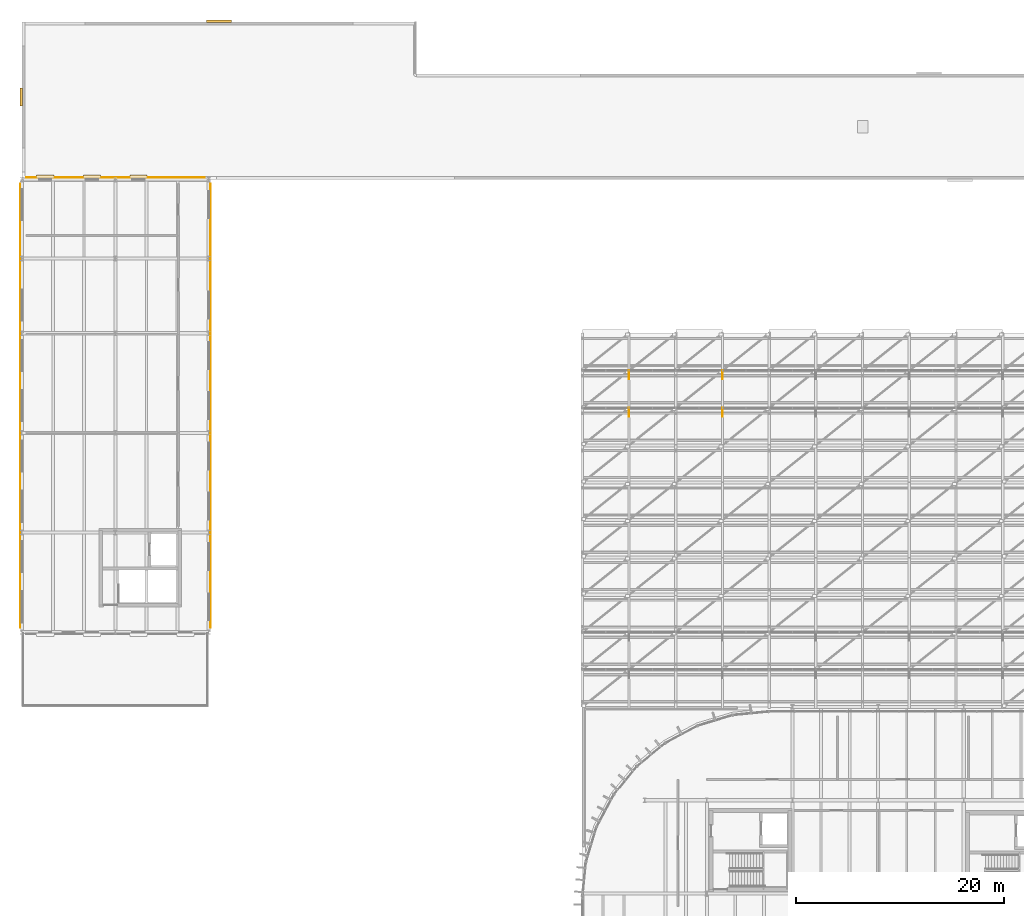
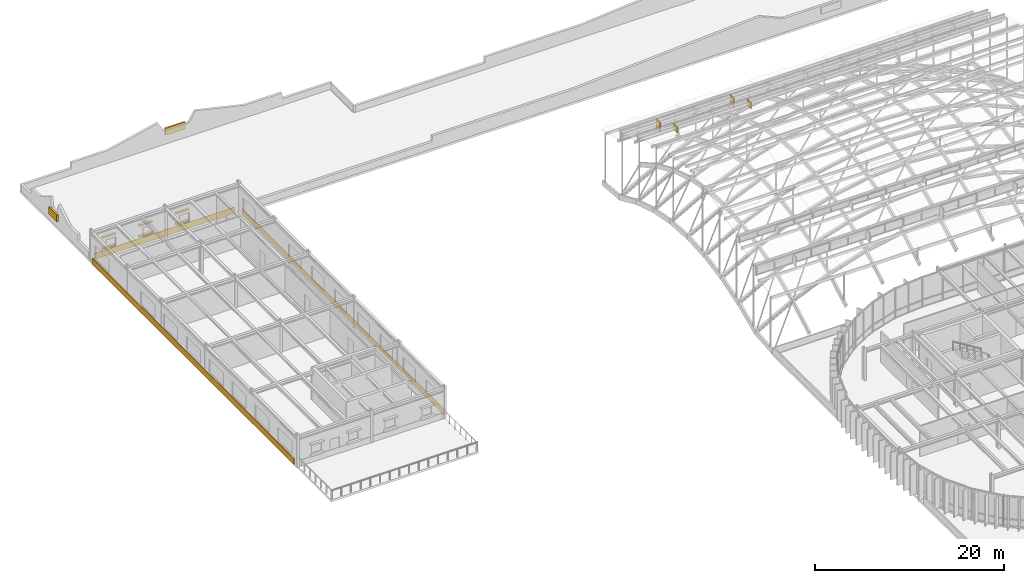
# One storey, part 65 of 69: 11 coverings, 4 shading devices.
"""IFC4 building model written with IfcOpenShell, lengths in metres."""

from ifc_helpers import new_model, si_unit, direction, frame, origin, origin_2d, place, context, subcontext, project, spatial, rectangle, extrude, material, layer, layer_set, type_object, element, save


model = new_model("IFC4")

# Units and contexts
model_context = context("Model", 3, precision=1e-05, world=origin(), true_north=direction((0.0, 1.0)))
body_context = subcontext(model_context, "Body", "Model", "MODEL_VIEW")
ifc_project = project(units=[si_unit("LENGTHUNIT", "METRE"), si_unit("AREAUNIT", "SQUARE_METRE"), si_unit("VOLUMEUNIT", "CUBIC_METRE"), si_unit("PLANEANGLEUNIT", "RADIAN"), si_unit("MASSUNIT", "GRAM", prefix="KILO")], contexts=[model_context])

# Site, building, storey
site_placement = place(None, origin())
site = spatial("IfcSite", under=ifc_project, at=site_placement, CompositionType="ELEMENT")
building_placement = place(site_placement, origin())
building = spatial("IfcBuilding", under=site, at=building_placement, Name="Montealbar Specialist Clinic", CompositionType="ELEMENT")
storey_placement = place(building_placement, frame((0.0, 0.0, 9.60009765625)))
storey = spatial("IfcBuildingStorey", under=building, at=storey_placement, Name="L02", CompositionType="ELEMENT", Elevation=9.60009765625)

# Coverings
ifc_material_1 = material(Name="Guadarrama granite ashlar", Category="masonry")
ifc_layer_1 = layer(ifc_material_1, 0.06005859375, Name="Guadarrama granite ashlar", Category="masonry")
ifc_layer_set_1 = layer_set([ifc_layer_1], Name="Guadarrama granite ashlar")
covering_type_1 = type_object("IfcCoveringType", Name="COV-CLAD-GRANITE", PredefinedType="CLADDING", material=ifc_layer_set_1)
covering_1_placement = place(storey_placement, frame((9.0, 96.0029296875, 0.02978515625), z_axis=(0.0, 0.0, 1.0), x_axis=(1.0, 0.0, 0.0)))
element("IfcCovering", 1, at=covering_1_placement, inside=storey, type_object=covering_type_1, Name="Facade Plinth Cladding Band L02-044", PredefinedType="CLADDING", context=body_context, shape_type="SweptSolid", body=[
    extrude(rectangle(XDim=17.199951171875, YDim=0.06005859375, at=origin_2d()), origin(), (0.0, 0.0, 1.0), 0.780029296875),
])
ifc_material_2 = material(Name="Terracotta architectural cladding", Category="masonry")
ifc_layer_2 = layer(ifc_material_2, 0.044921875, Name="Terracotta architectural cladding", Category="masonry")
ifc_layer_set_2 = layer_set([ifc_layer_2], Name="Terracotta architectural cladding")
covering_type_2 = type_object("IfcCoveringType", Name="COV-CLAD-TERRA", PredefinedType="CLADDING", material=ifc_layer_set_2)
for number, where, z_axis, x_axis, name in (
    (2, (18.159912109375, 74.0, 0.02978515625), (0.0, 0.0, 1.0), (0.0, -1.0, 0.0), "Facade Plinth Cladding Band L02-041"),
    (3, (-0.160888671875, 74.0, 0.02978515625), (0.0, 0.0, 1.0), (0.0, 1.0, 0.0), "Facade Plinth Cladding Band L02-043"),
):
    element("IfcCovering", number, at=place(storey_placement, frame(where, z_axis=z_axis, x_axis=x_axis)), inside=storey, type_object=covering_type_2, Name=name, PredefinedType="CLADDING", context=body_context, shape_type="SweptSolid", body=[
        extrude(rectangle(XDim=42.800048828125, YDim=0.044921875, at=origin_2d()), origin(), (0.0, 0.0, 1.0), 0.780029296875),
    ])
ifc_layer_3 = layer(ifc_material_1, 0.280029296875, Name="Guadarrama granite ashlar", Category="masonry")
ifc_layer_set_3 = layer_set([ifc_layer_3], Name="Guadarrama granite ashlar")
covering_type_3 = type_object("IfcCoveringType", Name="COV-HOOD-OCULUS", PredefinedType="CLADDING", material=ifc_layer_set_3)
for number, where, z_axis, x_axis, name in (
    (4, (2.25, 96.110107421875, 2.35009765625), (0.0, 0.0, 1.0), (1.0, 0.0, 0.0), "Postmodern Oculus Stone Frame L02-069-TOP"),
    (5, (2.25, 96.110107421875, 0.9296875), (0.0, 0.0, 1.0), (1.0, 0.0, 0.0), "Postmodern Oculus Stone Frame L02-069-BOT"),
    (6, (6.75, 96.110107421875, 2.35009765625), (0.0, 0.0, 1.0), (1.0, 0.0, 0.0), "Postmodern Oculus Stone Frame L02-070-TOP"),
    (7, (6.75, 96.110107421875, 0.9296875), (0.0, 0.0, 1.0), (1.0, 0.0, 0.0), "Postmodern Oculus Stone Frame L02-070-BOT"),
    (8, (11.25, 96.110107421875, 2.35009765625), (0.0, 0.0, 1.0), (1.0, 0.0, 0.0), "Postmodern Oculus Stone Frame L02-071-TOP"),
    (9, (11.25, 96.110107421875, 0.9296875), (0.0, 0.0, 1.0), (1.0, 0.0, 0.0), "Postmodern Oculus Stone Frame L02-071-BOT"),
):
    element("IfcCovering", number, at=place(storey_placement, frame(where, z_axis=z_axis, x_axis=x_axis)), inside=storey, type_object=covering_type_3, Name=name, PredefinedType="CLADDING", context=body_context, shape_type="SweptSolid", body=[
        extrude(rectangle(XDim=1.639892578125, YDim=0.280029296875, at=origin_2d()), origin(), (0.0, 0.0, 1.0), 0.199951171875),
    ])
covering_2_placement = place(storey_placement, frame((-0.070068359375, 103.77490234375, 0.89990234375), z_axis=(0.0, 0.0, 1.0), x_axis=(0.0, 1.0, 0.0)))
element("IfcCovering", 10, at=covering_2_placement, inside=storey, type_object=covering_type_3, Name="Postmodern Pediment Granite Keystone L02-05", PredefinedType="CLADDING", context=body_context, shape_type="SweptSolid", body=[
    extrude(rectangle(XDim=1.73388671875, YDim=0.219970703125, at=origin_2d()), origin(), (0.0, 0.0, 1.0), 0.89990234375),
])
covering_3_placement = place(storey_placement, frame((19.0, 111.070068359375, 0.89990234375), z_axis=(0.0, 0.0, 1.0), x_axis=(1.0, 0.0, 0.0)))
element("IfcCovering", 11, at=covering_3_placement, inside=storey, type_object=covering_type_3, Name="Postmodern Pediment Granite Keystone L02-06", PredefinedType="CLADDING", context=body_context, shape_type="SweptSolid", body=[
    extrude(rectangle(XDim=2.39990234375, YDim=0.219970703125, at=origin_2d()), origin(), (0.0, 0.0, 1.0), 0.89990234375),
])

# Shading devices
ifc_material_3 = material(Name="Glulam GL28h", Category="wood")
ifc_layer_4 = layer(ifc_material_3, 0.074951171875, Name="Glulam GL28h", Category="wood")
ifc_layer_set_4 = layer_set([ifc_layer_4], Name="Glulam GL28h")
shading_device_type = type_object("IfcShadingDeviceType", Name="SHD-SOLAR-FIN-850", PredefinedType="USERDEFINED", material=ifc_layer_set_4)
for number, where, z_axis, x_axis, name in (
    (12, (58.5, 73.39990234375, 9.97509765625), (0.0, 0.0, 1.0), (0.0, -1.0, 0.0), "Clerestory Glulam Solar Fin SD-011"),
    (13, (67.5, 73.39990234375, 9.97509765625), (0.0, 0.0, 1.0), (0.0, -1.0, 0.0), "Clerestory Glulam Solar Fin SD-012"),
):
    element("IfcShadingDevice", number, at=place(storey_placement, frame(where, z_axis=z_axis, x_axis=x_axis)), inside=storey, type_object=shading_device_type, Name=name, ObjectType="SOLAR FIN", PredefinedType="USERDEFINED", context=body_context, shape_type="SweptSolid", body=[
        extrude(rectangle(XDim=0.85009765625, YDim=0.074951171875, at=origin_2d()), origin(), (0.0, 0.0, 1.0), 0.803955078125),
    ])
for number, where, z_axis, x_axis, name in (
    (14, (58.5, 77.0, 7.9345703125), (0.0, 0.0, 1.0), (0.0, -1.0, 0.0), "Clerestory Glulam Solar Fin SD-016"),
    (15, (67.5, 77.0, 7.9345703125), (0.0, 0.0, 1.0), (0.0, -1.0, 0.0), "Clerestory Glulam Solar Fin SD-017"),
):
    element("IfcShadingDevice", number, at=place(storey_placement, frame(where, z_axis=z_axis, x_axis=x_axis)), inside=storey, type_object=shading_device_type, Name=name, ObjectType="SOLAR FIN", PredefinedType="USERDEFINED", context=body_context, shape_type="SweptSolid", body=[
        extrude(rectangle(XDim=0.85009765625, YDim=0.074951171875, at=origin_2d()), origin(), (0.0, 0.0, 1.0), 1.257080078125),
    ])

save(model, "model.ifc")
